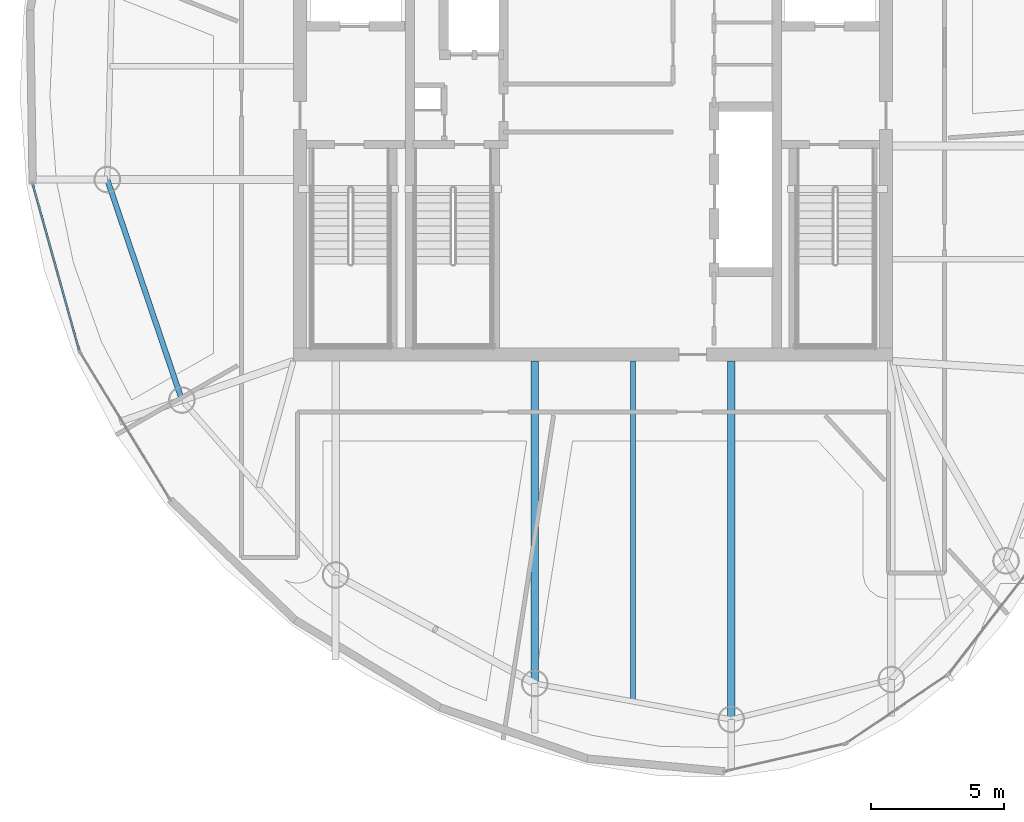
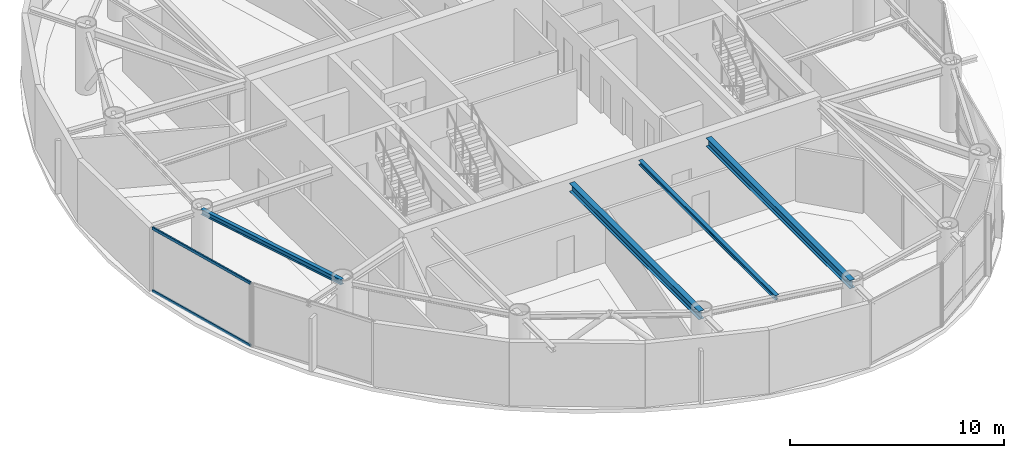
# One storey, part 4 of 19: 4 beams, 2 members, 1 element without a shape of its own.
"""IFC4 building model written with IfcOpenShell, lengths in metres."""

from ifc_helpers import new_model, si_unit, direction, frame, origin, origin_2d, place, context, subcontext, project, spatial, hollow_rectangle, i_section, extrude, material, layer, layer_set, material_profile, profile_set, type_object, element, aggregate, save


model = new_model("IFC4")

# Units and contexts
model_context = context("Model", 3, precision=1e-05, world=origin(), true_north=direction((0.0, 1.0)))
body_context = subcontext(model_context, "Body", "Model", "MODEL_VIEW")
ifc_project = project(units=[si_unit("LENGTHUNIT", "METRE"), si_unit("AREAUNIT", "SQUARE_METRE"), si_unit("VOLUMEUNIT", "CUBIC_METRE"), si_unit("PLANEANGLEUNIT", "RADIAN"), si_unit("MASSUNIT", "GRAM", prefix="KILO")], contexts=[model_context])

# Site, building, storey
site_placement = place(None, origin())
site = spatial("IfcSite", under=ifc_project, at=site_placement, CompositionType="ELEMENT")
building_placement = place(site_placement, origin())
building = spatial("IfcBuilding", under=site, at=building_placement, Name="Bramvorn Convention Spire", CompositionType="ELEMENT")
storey_placement = place(building_placement, frame((0.0, 0.0, 299.800048828125)))
storey = spatial("IfcBuildingStorey", under=building, at=storey_placement, Name="L76", CompositionType="ELEMENT", Elevation=299.800048828125)

# Beams
ifc_material_1 = material(Name="Steel CSA G40.21 Grade 350 (350W)", Category="steel")
ifc_material_profile_1 = material_profile(ifc_material_1, i_section(OverallWidth=0.201904296875, OverallDepth=0.2470703125, WebThickness=0.00732421875, FlangeThickness=0.010986328125, FilletRadius=0.011962890625, at=origin_2d()))
ifc_profile_set_1 = profile_set([ifc_material_profile_1], Name="Steel CSA G40.21 Grade 350 (350W) - W250X49")
beam_type_1 = type_object("IfcBeamType", Name="BM-W250X49", PredefinedType="JOIST", material=ifc_profile_set_1)
beam_1_placement = place(storey_placement, frame((39.501953125, 18.550048828125, 3.50146484375), z_axis=(0.0, -1.0, 0.0), x_axis=(1.0, 0.0, 0.0)))
element("IfcBeam", 1, at=beam_1_placement, inside=storey, type_object=beam_type_1, Name="L76 composite floor joist 15", PredefinedType="JOIST", context=body_context, shape_type="SweptSolid", body=[
    extrude(i_section(OverallWidth=0.201904296875, OverallDepth=0.2470703125, WebThickness=0.00732421875, FlangeThickness=0.010986328125, FilletRadius=0.011962890625, at=origin_2d()), origin(), (0.0, 0.0, 1.0), 12.77587890625),
])
ifc_material_profile_2 = material_profile(ifc_material_1, i_section(OverallWidth=0.202880859375, OverallDepth=0.302978515625, WebThickness=0.007568359375, FlangeThickness=0.01318359375, FilletRadius=0.013916015625, at=origin_2d()))
ifc_profile_set_2 = profile_set([ifc_material_profile_2], Name="Steel CSA G40.21 Grade 350 (350W) - W310X60")
beam_type_2 = type_object("IfcBeamType", Name="BM-W310X60", PredefinedType="JOIST", material=ifc_profile_set_2)
beam_2_placement = place(storey_placement, frame((19.765380859375, 25.37060546875, 3.473388671875), z_axis=(0.320531023763, -0.947238018032, 0.0), x_axis=(0.947238018032, 0.320531023763, 0.0)))
element("IfcBeam", 2, at=beam_2_placement, inside=storey, type_object=beam_type_2, Name="L76 mega-column ring beam 12", PredefinedType="JOIST", context=body_context, shape_type="SweptSolid", body=[
    extrude(i_section(OverallWidth=0.202880859375, OverallDepth=0.302978515625, WebThickness=0.007568359375, FlangeThickness=0.01318359375, FilletRadius=0.013916015625, at=origin_2d()), origin(), (0.0, 0.0, 1.0), 8.74169921875),
])
ifc_material_profile_3 = material_profile(ifc_material_1, i_section(OverallWidth=0.283935546875, OverallDepth=0.47607421875, WebThickness=0.014892578125, FlangeThickness=0.02392578125, FilletRadius=0.01806640625, at=origin_2d()))
ifc_profile_set_3 = profile_set([ifc_material_profile_3], Name="Steel CSA G40.21 Grade 350 (350W) - W460X158")
beam_type_3 = type_object("IfcBeamType", Name="BM-W460X158", PredefinedType="SPANDREL", material=ifc_profile_set_3)
beam_3_placement = place(storey_placement, frame((35.8154296875, 18.550048828125, 3.386962890625), z_axis=(0.0, -1.0, 0.0), x_axis=(1.0, 0.0, 0.0)))
element("IfcBeam", 3, at=beam_3_placement, inside=storey, type_object=beam_type_3, Name="L76 radial floor girder MC15", PredefinedType="SPANDREL", context=body_context, shape_type="SweptSolid", body=[
    extrude(i_section(OverallWidth=0.283935546875, OverallDepth=0.47607421875, WebThickness=0.014892578125, FlangeThickness=0.02392578125, FilletRadius=0.01806640625, at=origin_2d()), origin(), (0.0, 0.0, 1.0), 12.100830078125),
])
beam_4_placement = place(storey_placement, frame((43.1884765625, 18.550048828125, 3.386962890625), z_axis=(0.0, -1.0, 0.0), x_axis=(1.0, 0.0, 0.0)))
element("IfcBeam", 4, at=beam_4_placement, inside=storey, type_object=beam_type_3, Name="L76 radial floor girder MC16", PredefinedType="SPANDREL", context=body_context, shape_type="SweptSolid", body=[
    extrude(i_section(OverallWidth=0.283935546875, OverallDepth=0.47607421875, WebThickness=0.014892578125, FlangeThickness=0.02392578125, FilletRadius=0.01806640625, at=origin_2d()), origin(), (0.0, 0.0, 1.0), 13.450927734375),
])

# Curtain wall, members
ifc_material_2 = material(Name="Anodised Bronze Unitised Curtain Wall", Category="aluminium")
ifc_layer = layer(ifc_material_2, 0.179931640625)
ifc_layer_set = layer_set([ifc_layer], Name="Anodised Bronze Unitised Curtain Wall - CW-OFF-FRIT")
curtain_wall_type = type_object("IfcCurtainWallType", Name="CW-OFF-FRIT", PredefinedType="USERDEFINED", material=ifc_layer_set)
curtain_wall_placement = place(storey_placement, origin())
curtain_wall = element("IfcCurtainWall", 5, at=curtain_wall_placement, inside=storey, type_object=curtain_wall_type, Name="L76 fritted glass curtain wall 18", ObjectType="UNITISED CURTAIN WALL", PredefinedType="USERDEFINED")
ifc_material_3 = material(Name="Anodised Bronze Aluminium 6063-T6", Category="aluminium")
ifc_material_profile_4 = material_profile(ifc_material_3, hollow_rectangle(XDim=0.080078125, YDim=0.159912109375, WallThickness=0.00390625, InnerFilletRadius=0.0009765625, OuterFilletRadius=0.00390625, at=origin_2d()))
ifc_profile_set_4 = profile_set([ifc_material_profile_4], Name="Anodised Bronze Aluminium 6063-T6 - CWT80X160")
member_type = type_object("IfcMemberType", Name="CW-TRN-150", PredefinedType="USERDEFINED", material=ifc_profile_set_4)
member_1_placement = place(storey_placement, frame((18.70703125, 18.984619140625, 0.030029296875), z_axis=(-0.269251114418, 0.963070006482, 0.0), x_axis=(-0.963070006482, -0.269251114418, 0.0)))
member_1 = element("IfcMember", 6, at=member_1_placement, type_object=member_type, Name="CW3 transom 1.1", ObjectType="TRANSOM", PredefinedType="USERDEFINED", context=body_context, shape_type="SweptSolid", body=[
    extrude(hollow_rectangle(XDim=0.080078125, YDim=0.159912109375, WallThickness=0.00390625, InnerFilletRadius=0.0009765625, OuterFilletRadius=0.00390625, at=origin_2d()), origin(), (0.0, 0.0, 1.0), 6.406982421875),
])
member_2_placement = place(storey_placement, frame((18.70703125, 18.984619140625, 3.594970703125), z_axis=(-0.269251114418, 0.963070006482, 0.0), x_axis=(-0.963070006482, -0.269251114418, 0.0)))
member_2 = element("IfcMember", 7, at=member_2_placement, type_object=member_type, Name="CW3 transom 1.2", ObjectType="TRANSOM", PredefinedType="USERDEFINED", context=body_context, shape_type="SweptSolid", body=[
    extrude(hollow_rectangle(XDim=0.080078125, YDim=0.159912109375, WallThickness=0.00390625, InnerFilletRadius=0.0009765625, OuterFilletRadius=0.00390625, at=origin_2d()), origin(), (0.0, 0.0, 1.0), 6.406982421875),
])
aggregate(curtain_wall, [member_1, member_2])

save(model, "model.ifc")
